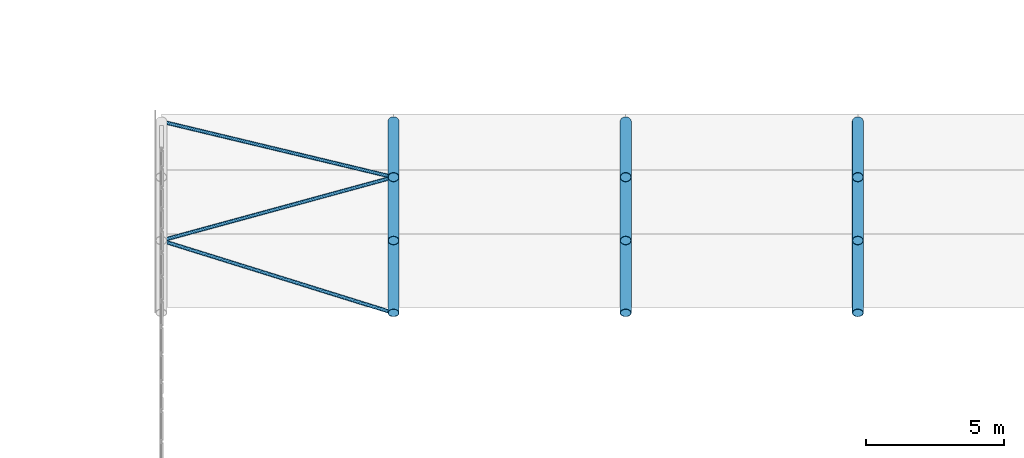
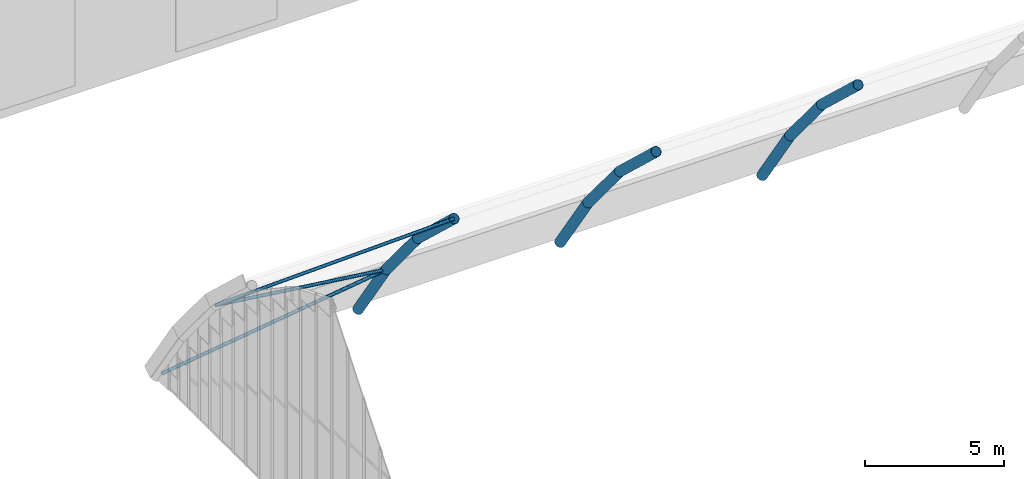
# One storey, part 19 of 77: 12 members.
"""IFC4 building model written with IfcOpenShell, lengths in metres."""

from ifc_helpers import new_model, si_unit, direction, frame, origin, origin_2d, place, context, subcontext, project, spatial, hollow_circle, extrude, material, material_profile, profile_set, type_object, element, save


model = new_model("IFC4")

# Units and contexts
model_context = context("Model", 3, precision=1e-05, world=origin(), true_north=direction((0.0, 1.0)))
body_context = subcontext(model_context, "Body", "Model", "MODEL_VIEW")
ifc_project = project(units=[si_unit("LENGTHUNIT", "METRE"), si_unit("AREAUNIT", "SQUARE_METRE"), si_unit("VOLUMEUNIT", "CUBIC_METRE"), si_unit("PLANEANGLEUNIT", "RADIAN"), si_unit("MASSUNIT", "GRAM", prefix="KILO")], contexts=[model_context])

# Site, building, storey
site_placement = place(None, origin())
site = spatial("IfcSite", under=ifc_project, at=site_placement, CompositionType="ELEMENT")
building_placement = place(site_placement, origin())
building = spatial("IfcBuilding", under=site, at=building_placement, Name="Catenary Quay Ferry Terminal", CompositionType="ELEMENT")
storey_placement = place(building_placement, frame((0.0, 0.0, 10.800048828125)))
storey = spatial("IfcBuildingStorey", under=building, at=storey_placement, Name="L02", CompositionType="ELEMENT", Elevation=10.800048828125)

# Members
ifc_material_1 = material(Name="Steel S355", Category="steel")
ifc_material_profile_1 = material_profile(ifc_material_1, hollow_circle(Radius=0.06982421875, WallThickness=0.008056640625, at=origin_2d()), Name="CHS 139.7x8")
ifc_profile_set_1 = profile_set([ifc_material_profile_1], Name="Steel S355")
member_type_1 = type_object("IfcMemberType", Name="BR1 CHS 139.7x8", PredefinedType="BRACE", material=ifc_profile_set_1)
member_1_placement = place(storey_placement, frame((33.60009765625, 135.8740234375, 8.18994140625), z_axis=(-0.919554814381, 0.28668772325, -0.268754707281), x_axis=(-0.297638235133, -0.954678731819, 0.0)))
element("IfcMember", 1, at=member_1_placement, inside=storey, type_object=member_type_1, Name="Roof brace BR-VD-01-10", PredefinedType="BRACE", context=body_context, shape_type="SweptSolid", body=[
    extrude(hollow_circle(Radius=0.06982421875, WallThickness=0.008056640625, at=origin_2d()), origin(), (0.0, 0.0, 1.0), 9.135009765625),
])
member_2_placement = place(storey_placement, frame((25.199951171875, 138.492919921875, 5.73486328125), z_axis=(0.919519375004, 0.250892199045, -0.302551191456), x_axis=(-0.263228912464, 0.964733403404, 0.0)))
element("IfcMember", 2, at=member_2_placement, inside=storey, type_object=member_type_1, Name="Roof brace BR-VD-01-11", PredefinedType="BRACE", context=body_context, shape_type="SweptSolid", body=[
    extrude(hollow_circle(Radius=0.06982421875, WallThickness=0.008056640625, at=origin_2d()), origin(), (0.0, 0.0, 1.0), 9.13525390625),
])
member_3_placement = place(storey_placement, frame((33.60009765625, 140.784912109375, 2.970947265625), z_axis=(-0.919550320875, 0.220557460622, -0.32524085528), x_axis=(-0.233238347253, -0.972419597381, 0.0)))
element("IfcMember", 3, at=member_3_placement, inside=storey, type_object=member_type_1, Name="Roof brace BR-VD-01-12", PredefinedType="BRACE", context=body_context, shape_type="SweptSolid", body=[
    extrude(hollow_circle(Radius=0.06982421875, WallThickness=0.008056640625, at=origin_2d()), origin(), (0.0, 0.0, 1.0), 8.9228515625),
])
ifc_material_2 = material(Name="Steel S355", Category="steel")
ifc_material_profile_2 = material_profile(ifc_material_2, hollow_circle(Radius=0.203125, WallThickness=0.01611328125, at=origin_2d()), Name="CHS 406.4x16")
ifc_profile_set_2 = profile_set([ifc_material_profile_2], Name="Steel S355")
member_type_2 = type_object("IfcMemberType", Name="VR3 CHS 406.4x16", PredefinedType="RAFTER", material=ifc_profile_set_2)
member_4_placement = place(storey_placement, frame((33.60009765625, 135.8740234375, 8.18994140625), z_axis=(0.0, 0.729556292242, -0.683920767669), x_axis=(-1.0, 0.0, 0.0)))
element("IfcMember", 4, at=member_4_placement, inside=storey, type_object=member_type_2, Name="Vault rib VD-02-10", PredefinedType="RAFTER", context=body_context, shape_type="SweptSolid", body=[
    extrude(hollow_circle(Radius=0.203125, WallThickness=0.01611328125, at=origin_2d()), origin(), (0.0, 0.0, 1.0), 3.589599609375),
])
member_5_placement = place(storey_placement, frame((33.60009765625, 138.492919921875, 5.73486328125), z_axis=(0.0, 0.638329973705, -0.769762849629), x_axis=(-1.0, 0.0, 0.0)))
element("IfcMember", 5, at=member_5_placement, inside=storey, type_object=member_type_2, Name="Vault rib VD-02-11", PredefinedType="RAFTER", context=body_context, shape_type="SweptSolid", body=[
    extrude(hollow_circle(Radius=0.203125, WallThickness=0.01611328125, at=origin_2d()), origin(), (0.0, 0.0, 1.0), 3.590576171875),
])
member_6_placement = place(storey_placement, frame((33.60009765625, 140.784912109375, 2.970947265625), z_axis=(0.0, 0.561336762899, -0.827587480945), x_axis=(-1.0, 0.0, 0.0)))
element("IfcMember", 6, at=member_6_placement, inside=storey, type_object=member_type_2, Name="Vault rib VD-02-12", PredefinedType="RAFTER", context=body_context, shape_type="SweptSolid", body=[
    extrude(hollow_circle(Radius=0.203125, WallThickness=0.01611328125, at=origin_2d()), origin(), (0.0, 0.0, 1.0), 3.58984375),
])
member_7_placement = place(storey_placement, frame((42.0, 135.8740234375, 8.18994140625), z_axis=(0.0, 0.729556292242, -0.683920767669), x_axis=(-1.0, 0.0, 0.0)))
element("IfcMember", 7, at=member_7_placement, inside=storey, type_object=member_type_2, Name="Vault rib VD-03-10", PredefinedType="RAFTER", context=body_context, shape_type="SweptSolid", body=[
    extrude(hollow_circle(Radius=0.203125, WallThickness=0.01611328125, at=origin_2d()), origin(), (0.0, 0.0, 1.0), 3.589599609375),
])
member_8_placement = place(storey_placement, frame((42.0, 138.492919921875, 5.73486328125), z_axis=(0.0, 0.638329973705, -0.769762849629), x_axis=(-1.0, 0.0, 0.0)))
element("IfcMember", 8, at=member_8_placement, inside=storey, type_object=member_type_2, Name="Vault rib VD-03-11", PredefinedType="RAFTER", context=body_context, shape_type="SweptSolid", body=[
    extrude(hollow_circle(Radius=0.203125, WallThickness=0.01611328125, at=origin_2d()), origin(), (0.0, 0.0, 1.0), 3.590576171875),
])
member_9_placement = place(storey_placement, frame((42.0, 140.784912109375, 2.970947265625), z_axis=(0.0, 0.561336762899, -0.827587480945), x_axis=(-1.0, 0.0, 0.0)))
element("IfcMember", 9, at=member_9_placement, inside=storey, type_object=member_type_2, Name="Vault rib VD-03-12", PredefinedType="RAFTER", context=body_context, shape_type="SweptSolid", body=[
    extrude(hollow_circle(Radius=0.203125, WallThickness=0.01611328125, at=origin_2d()), origin(), (0.0, 0.0, 1.0), 3.58984375),
])
member_10_placement = place(storey_placement, frame((50.39990234375, 135.8740234375, 8.18994140625), z_axis=(0.0, 0.729556292242, -0.683920767669), x_axis=(-1.0, 0.0, 0.0)))
element("IfcMember", 10, at=member_10_placement, inside=storey, type_object=member_type_2, Name="Vault rib VD-04-10", PredefinedType="RAFTER", context=body_context, shape_type="SweptSolid", body=[
    extrude(hollow_circle(Radius=0.203125, WallThickness=0.01611328125, at=origin_2d()), origin(), (0.0, 0.0, 1.0), 3.589599609375),
])
member_11_placement = place(storey_placement, frame((50.39990234375, 138.492919921875, 5.73486328125), z_axis=(0.0, 0.638329973705, -0.769762849629), x_axis=(-1.0, 0.0, 0.0)))
element("IfcMember", 11, at=member_11_placement, inside=storey, type_object=member_type_2, Name="Vault rib VD-04-11", PredefinedType="RAFTER", context=body_context, shape_type="SweptSolid", body=[
    extrude(hollow_circle(Radius=0.203125, WallThickness=0.01611328125, at=origin_2d()), origin(), (0.0, 0.0, 1.0), 3.590576171875),
])
member_12_placement = place(storey_placement, frame((50.39990234375, 140.784912109375, 2.970947265625), z_axis=(0.0, 0.561336762899, -0.827587480945), x_axis=(-1.0, 0.0, 0.0)))
element("IfcMember", 12, at=member_12_placement, inside=storey, type_object=member_type_2, Name="Vault rib VD-04-12", PredefinedType="RAFTER", context=body_context, shape_type="SweptSolid", body=[
    extrude(hollow_circle(Radius=0.203125, WallThickness=0.01611328125, at=origin_2d()), origin(), (0.0, 0.0, 1.0), 3.58984375),
])

save(model, "model.ifc")
